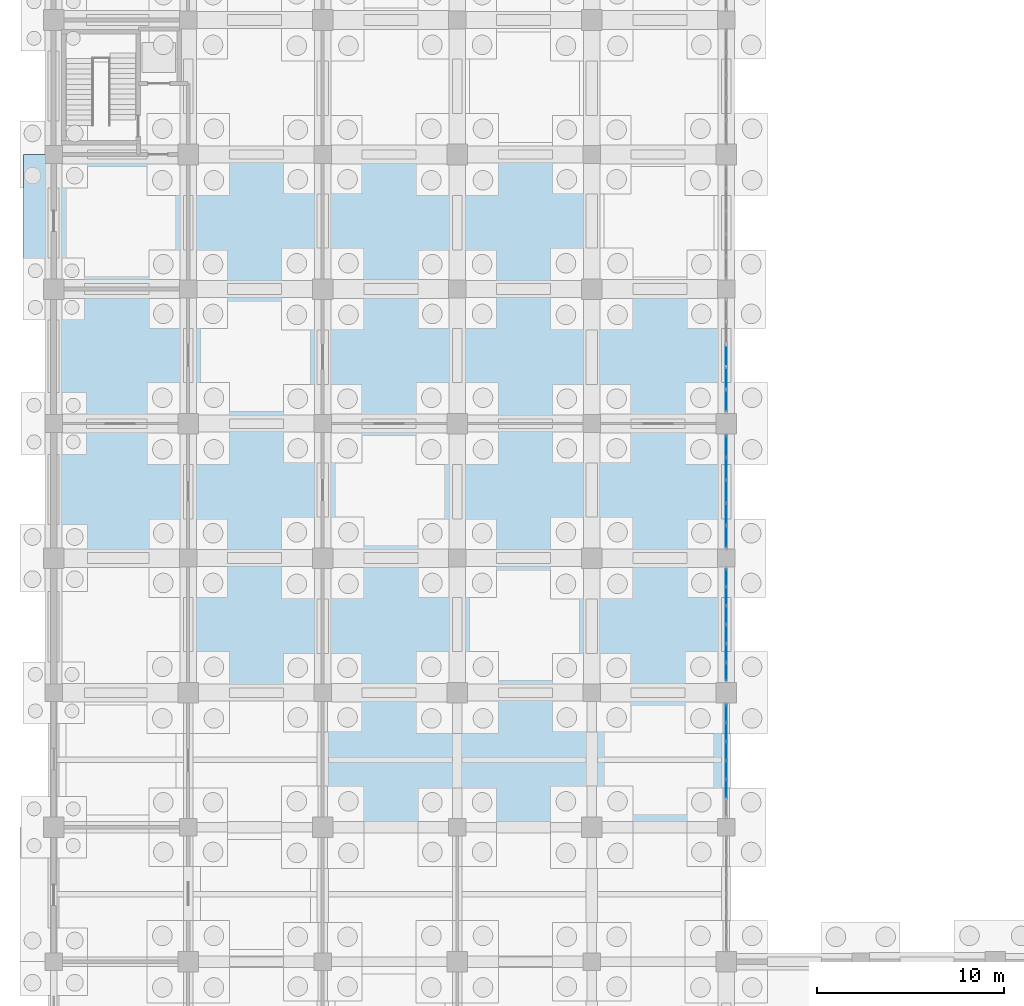
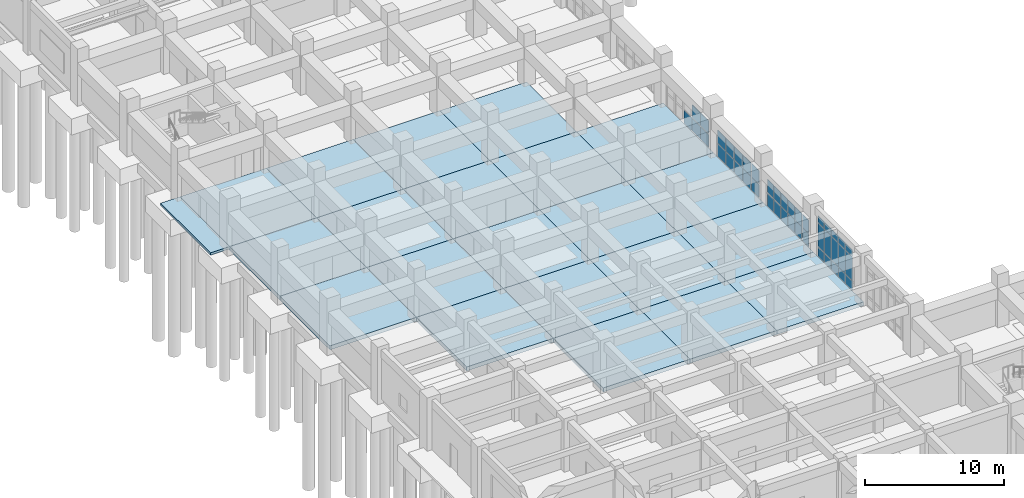
# One storey, part 44 of 79: 42 plates, 22 slabs, 4 elements without a shape of their own.
"""IFC4 building model written with IfcOpenShell, lengths in metres."""

from ifc_helpers import new_model, si_unit, direction, frame, origin, origin_2d, place, context, subcontext, project, spatial, polyline, rectangle, outline, extrude, material, layer, layer_set, type_object, element, aggregate, save


model = new_model("IFC4")

# Units and contexts
model_context = context("Model", 3, precision=1e-05, world=origin(), true_north=direction((0.0, 1.0)))
body_context = subcontext(model_context, "Body", "Model", "MODEL_VIEW")
ifc_project = project(units=[si_unit("LENGTHUNIT", "METRE"), si_unit("AREAUNIT", "SQUARE_METRE"), si_unit("VOLUMEUNIT", "CUBIC_METRE"), si_unit("PLANEANGLEUNIT", "RADIAN"), si_unit("MASSUNIT", "GRAM", prefix="KILO")], contexts=[model_context])

# Site, building, storey
site_placement = place(None, origin())
site = spatial("IfcSite", under=ifc_project, at=site_placement, CompositionType="ELEMENT")
building_placement = place(site_placement, origin())
building = spatial("IfcBuilding", under=site, at=building_placement, Name="Kavelor Marine Aquarium", CompositionType="ELEMENT")
storey_placement = place(building_placement, origin())
storey = spatial("IfcBuildingStorey", under=building, at=storey_placement, Name="L00", CompositionType="ELEMENT", Elevation=0.0)

# Curtain wall, plates
ifc_material_1 = material(Name="Thermally Broken Aluminium and Low-E Glass", Category="aluminium")
ifc_layer_1 = layer(ifc_material_1, 0.1640625)
ifc_layer_set_1 = layer_set([ifc_layer_1], Name="CW-SYS3")
curtain_wall_type_1 = type_object("IfcCurtainWallType", Name="CW-SYS3", PredefinedType="USERDEFINED", material=ifc_layer_set_1)
curtain_wall_1_placement = place(storey_placement, origin())
curtain_wall_1 = element("IfcCurtainWall", 1, at=curtain_wall_1_placement, inside=storey, type_object=curtain_wall_type_1, Name="cw:y:L00:05_04", ObjectType="Curtain Wall", PredefinedType="USERDEFINED")
ifc_material_2 = material(Name="Solar-Control Double Low-E Glazing", Category="glass")
ifc_layer_2 = layer(ifc_material_2, 0.030029296875)
ifc_layer_set_2 = layer_set([ifc_layer_2], Name="CWP-03")
plate_type_1 = type_object("IfcPlateType", Name="CWP-03", PredefinedType="CURTAIN_PANEL", material=ifc_layer_set_2)
plate_1_placement = place(storey_placement, frame((39.199951171875, 33.641357421875, 0.06494140625), z_axis=(0.0, 0.0, 1.0), x_axis=(0.0, 1.0, 0.0)))
plate_1 = element("IfcPlate", 2, at=plate_1_placement, type_object=plate_type_1, Name="CW03 panel 2.1", PredefinedType="CURTAIN_PANEL", context=body_context, shape_type="SweptSolid", body=[
    extrude(rectangle(XDim=0.9541015625, YDim=0.030029296875, at=origin_2d()), origin(), (0.0, 0.0, 1.0), 0.802490234375),
])
plate_2_placement = place(storey_placement, frame((39.199951171875, 33.641357421875, 0.9326171875), z_axis=(0.0, 0.0, 1.0), x_axis=(0.0, 1.0, 0.0)))
plate_2 = element("IfcPlate", 3, at=plate_2_placement, type_object=plate_type_1, Name="CW03 panel 2.2", PredefinedType="CURTAIN_PANEL", context=body_context, shape_type="SweptSolid", body=[
    extrude(rectangle(XDim=0.9541015625, YDim=0.030029296875, at=origin_2d()), origin(), (0.0, 0.0, 1.0), 2.054931640625),
])
plate_3_placement = place(storey_placement, frame((39.199951171875, 33.641357421875, 3.052734375), z_axis=(0.0, 0.0, 1.0), x_axis=(0.0, 1.0, 0.0)))
plate_3 = element("IfcPlate", 4, at=plate_3_placement, type_object=plate_type_1, Name="CW03 panel 2.3", PredefinedType="CURTAIN_PANEL", context=body_context, shape_type="SweptSolid", body=[
    extrude(rectangle(XDim=0.9541015625, YDim=0.030029296875, at=origin_2d()), origin(), (0.0, 0.0, 1.0), 0.552490234375),
])
plate_4_placement = place(storey_placement, frame((39.199951171875, 34.655517578125, 0.06494140625), z_axis=(0.0, 0.0, 1.0), x_axis=(0.0, 1.0, 0.0)))
plate_4 = element("IfcPlate", 5, at=plate_4_placement, type_object=plate_type_1, Name="CW03 panel 3.1", PredefinedType="CURTAIN_PANEL", context=body_context, shape_type="SweptSolid", body=[
    extrude(rectangle(XDim=0.9541015625, YDim=0.030029296875, at=origin_2d()), origin(), (0.0, 0.0, 1.0), 0.802490234375),
])
plate_5_placement = place(storey_placement, frame((39.199951171875, 34.655517578125, 0.9326171875), z_axis=(0.0, 0.0, 1.0), x_axis=(0.0, 1.0, 0.0)))
plate_5 = element("IfcPlate", 6, at=plate_5_placement, type_object=plate_type_1, Name="CW03 panel 3.2", PredefinedType="CURTAIN_PANEL", context=body_context, shape_type="SweptSolid", body=[
    extrude(rectangle(XDim=0.9541015625, YDim=0.030029296875, at=origin_2d()), origin(), (0.0, 0.0, 1.0), 2.054931640625),
])
plate_6_placement = place(storey_placement, frame((39.199951171875, 34.655517578125, 3.052734375), z_axis=(0.0, 0.0, 1.0), x_axis=(0.0, 1.0, 0.0)))
plate_6 = element("IfcPlate", 7, at=plate_6_placement, type_object=plate_type_1, Name="CW03 panel 3.3", PredefinedType="CURTAIN_PANEL", context=body_context, shape_type="SweptSolid", body=[
    extrude(rectangle(XDim=0.9541015625, YDim=0.030029296875, at=origin_2d()), origin(), (0.0, 0.0, 1.0), 0.552490234375),
])
plate_7_placement = place(storey_placement, frame((39.199951171875, 35.669677734375, 0.06494140625), z_axis=(0.0, 0.0, 1.0), x_axis=(0.0, 1.0, 0.0)))
plate_7 = element("IfcPlate", 8, at=plate_7_placement, type_object=plate_type_1, Name="CW03 panel 4.1", PredefinedType="CURTAIN_PANEL", context=body_context, shape_type="SweptSolid", body=[
    extrude(rectangle(XDim=0.9541015625, YDim=0.030029296875, at=origin_2d()), origin(), (0.0, 0.0, 1.0), 0.802490234375),
])
plate_8_placement = place(storey_placement, frame((39.199951171875, 35.669677734375, 0.9326171875), z_axis=(0.0, 0.0, 1.0), x_axis=(0.0, 1.0, 0.0)))
plate_8 = element("IfcPlate", 9, at=plate_8_placement, type_object=plate_type_1, Name="CW03 panel 4.2", PredefinedType="CURTAIN_PANEL", context=body_context, shape_type="SweptSolid", body=[
    extrude(rectangle(XDim=0.9541015625, YDim=0.030029296875, at=origin_2d()), origin(), (0.0, 0.0, 1.0), 2.054931640625),
])
plate_9_placement = place(storey_placement, frame((39.199951171875, 35.669677734375, 3.052734375), z_axis=(0.0, 0.0, 1.0), x_axis=(0.0, 1.0, 0.0)))
plate_9 = element("IfcPlate", 10, at=plate_9_placement, type_object=plate_type_1, Name="CW03 panel 4.3", PredefinedType="CURTAIN_PANEL", context=body_context, shape_type="SweptSolid", body=[
    extrude(rectangle(XDim=0.9541015625, YDim=0.030029296875, at=origin_2d()), origin(), (0.0, 0.0, 1.0), 0.552490234375),
])
plate_10_placement = place(storey_placement, frame((39.199951171875, 36.683837890625, 0.06494140625), z_axis=(0.0, 0.0, 1.0), x_axis=(0.0, 1.0, 0.0)))
plate_10 = element("IfcPlate", 11, at=plate_10_placement, type_object=plate_type_1, Name="CW03 panel 5.1", PredefinedType="CURTAIN_PANEL", context=body_context, shape_type="SweptSolid", body=[
    extrude(rectangle(XDim=0.9541015625, YDim=0.030029296875, at=origin_2d()), origin(), (0.0, 0.0, 1.0), 0.802490234375),
])
plate_11_placement = place(storey_placement, frame((39.199951171875, 36.683837890625, 0.9326171875), z_axis=(0.0, 0.0, 1.0), x_axis=(0.0, 1.0, 0.0)))
plate_11 = element("IfcPlate", 12, at=plate_11_placement, type_object=plate_type_1, Name="CW03 panel 5.2", PredefinedType="CURTAIN_PANEL", context=body_context, shape_type="SweptSolid", body=[
    extrude(rectangle(XDim=0.9541015625, YDim=0.030029296875, at=origin_2d()), origin(), (0.0, 0.0, 1.0), 2.054931640625),
])
plate_12_placement = place(storey_placement, frame((39.199951171875, 36.683837890625, 3.052734375), z_axis=(0.0, 0.0, 1.0), x_axis=(0.0, 1.0, 0.0)))
plate_12 = element("IfcPlate", 13, at=plate_12_placement, type_object=plate_type_1, Name="CW03 panel 5.3", PredefinedType="CURTAIN_PANEL", context=body_context, shape_type="SweptSolid", body=[
    extrude(rectangle(XDim=0.9541015625, YDim=0.030029296875, at=origin_2d()), origin(), (0.0, 0.0, 1.0), 0.552490234375),
])
plate_13_placement = place(storey_placement, frame((39.199951171875, 37.682861328125, 0.06494140625), z_axis=(0.0, 0.0, 1.0), x_axis=(0.0, 1.0, 0.0)))
plate_13 = element("IfcPlate", 14, at=plate_13_placement, type_object=plate_type_1, Name="CW03 panel 6.1", PredefinedType="CURTAIN_PANEL", context=body_context, shape_type="SweptSolid", body=[
    extrude(rectangle(XDim=0.924072265625, YDim=0.030029296875, at=origin_2d()), origin(), (0.0, 0.0, 1.0), 0.802490234375),
])
plate_14_placement = place(storey_placement, frame((39.199951171875, 37.682861328125, 0.9326171875), z_axis=(0.0, 0.0, 1.0), x_axis=(0.0, 1.0, 0.0)))
plate_14 = element("IfcPlate", 15, at=plate_14_placement, type_object=plate_type_1, Name="CW03 panel 6.2", PredefinedType="CURTAIN_PANEL", context=body_context, shape_type="SweptSolid", body=[
    extrude(rectangle(XDim=0.924072265625, YDim=0.030029296875, at=origin_2d()), origin(), (0.0, 0.0, 1.0), 2.054931640625),
])
plate_15_placement = place(storey_placement, frame((39.199951171875, 37.682861328125, 3.052734375), z_axis=(0.0, 0.0, 1.0), x_axis=(0.0, 1.0, 0.0)))
plate_15 = element("IfcPlate", 16, at=plate_15_placement, type_object=plate_type_1, Name="CW03 panel 6.3", PredefinedType="CURTAIN_PANEL", context=body_context, shape_type="SweptSolid", body=[
    extrude(rectangle(XDim=0.924072265625, YDim=0.030029296875, at=origin_2d()), origin(), (0.0, 0.0, 1.0), 0.552490234375),
])
aggregate(curtain_wall_1, [plate_1, plate_2, plate_3, plate_4, plate_5, plate_6, plate_7, plate_8, plate_9, plate_10, plate_11, plate_12, plate_13, plate_14, plate_15])

ifc_material_3 = material(Name="Thermally Broken Aluminium and Low-E Glass", Category="aluminium")
ifc_layer_3 = layer(ifc_material_3, 0.172119140625)
ifc_layer_set_3 = layer_set([ifc_layer_3], Name="CW-SYS4")
curtain_wall_type_2 = type_object("IfcCurtainWallType", Name="CW-SYS4", PredefinedType="USERDEFINED", material=ifc_layer_set_3)
curtain_wall_2_placement = place(storey_placement, origin())
curtain_wall_2 = element("IfcCurtainWall", 17, at=curtain_wall_2_placement, inside=storey, type_object=curtain_wall_type_2, Name="cw:y:L00:05_05", ObjectType="Curtain Wall", PredefinedType="USERDEFINED")
ifc_material_4 = material(Name="Solar-Control Double Low-E Glazing", Category="glass")
ifc_layer_4 = layer(ifc_material_4, 0.031982421875)
ifc_layer_set_4 = layer_set([ifc_layer_4], Name="CWP-04")
plate_type_2 = type_object("IfcPlateType", Name="CWP-04", PredefinedType="CURTAIN_PANEL", material=ifc_layer_set_4)
plate_16_placement = place(storey_placement, frame((39.199951171875, 39.9208984375, 0.06005859375), z_axis=(0.0, 0.0, 1.0), x_axis=(0.0, 1.0, 0.0)))
plate_16 = element("IfcPlate", 18, at=plate_16_placement, type_object=plate_type_2, Name="CW04 panel 1.1", PredefinedType="CURTAIN_PANEL", context=body_context, shape_type="SweptSolid", body=[
    extrude(rectangle(XDim=0.901611328125, YDim=0.031982421875, at=origin_2d()), origin(), (0.0, 0.0, 1.0), 1.14501953125),
])
plate_17_placement = place(storey_placement, frame((39.199951171875, 39.9208984375, 1.264892578125), z_axis=(0.0, 0.0, 1.0), x_axis=(0.0, 1.0, 0.0)))
plate_17 = element("IfcPlate", 19, at=plate_17_placement, type_object=plate_type_2, Name="CW04 panel 1.2", PredefinedType="CURTAIN_PANEL", context=body_context, shape_type="SweptSolid", body=[
    extrude(rectangle(XDim=0.901611328125, YDim=0.031982421875, at=origin_2d()), origin(), (0.0, 0.0, 1.0), 1.14501953125),
])
plate_18_placement = place(storey_placement, frame((39.199951171875, 40.916259765625, 0.06005859375), z_axis=(0.0, 0.0, 1.0), x_axis=(0.0, 1.0, 0.0)))
plate_18 = element("IfcPlate", 20, at=plate_18_placement, type_object=plate_type_2, Name="CW04 panel 2.1", PredefinedType="CURTAIN_PANEL", context=body_context, shape_type="SweptSolid", body=[
    extrude(rectangle(XDim=0.939208984375, YDim=0.031982421875, at=origin_2d()), origin(), (0.0, 0.0, 1.0), 1.14501953125),
])
plate_19_placement = place(storey_placement, frame((39.199951171875, 40.916259765625, 1.264892578125), z_axis=(0.0, 0.0, 1.0), x_axis=(0.0, 1.0, 0.0)))
plate_19 = element("IfcPlate", 21, at=plate_19_placement, type_object=plate_type_2, Name="CW04 panel 2.2", PredefinedType="CURTAIN_PANEL", context=body_context, shape_type="SweptSolid", body=[
    extrude(rectangle(XDim=0.939208984375, YDim=0.031982421875, at=origin_2d()), origin(), (0.0, 0.0, 1.0), 1.14501953125),
])
plate_20_placement = place(storey_placement, frame((39.199951171875, 41.930419921875, 0.06005859375), z_axis=(0.0, 0.0, 1.0), x_axis=(0.0, 1.0, 0.0)))
plate_20 = element("IfcPlate", 22, at=plate_20_placement, type_object=plate_type_2, Name="CW04 panel 3.1", PredefinedType="CURTAIN_PANEL", context=body_context, shape_type="SweptSolid", body=[
    extrude(rectangle(XDim=0.939208984375, YDim=0.031982421875, at=origin_2d()), origin(), (0.0, 0.0, 1.0), 1.14501953125),
])
plate_21_placement = place(storey_placement, frame((39.199951171875, 41.930419921875, 1.264892578125), z_axis=(0.0, 0.0, 1.0), x_axis=(0.0, 1.0, 0.0)))
plate_21 = element("IfcPlate", 23, at=plate_21_placement, type_object=plate_type_2, Name="CW04 panel 3.2", PredefinedType="CURTAIN_PANEL", context=body_context, shape_type="SweptSolid", body=[
    extrude(rectangle(XDim=0.939208984375, YDim=0.031982421875, at=origin_2d()), origin(), (0.0, 0.0, 1.0), 1.14501953125),
])
plate_22_placement = place(storey_placement, frame((39.199951171875, 42.944580078125, 0.06005859375), z_axis=(0.0, 0.0, 1.0), x_axis=(0.0, 1.0, 0.0)))
plate_22 = element("IfcPlate", 24, at=plate_22_placement, type_object=plate_type_2, Name="CW04 panel 4.1", PredefinedType="CURTAIN_PANEL", context=body_context, shape_type="SweptSolid", body=[
    extrude(rectangle(XDim=0.939208984375, YDim=0.031982421875, at=origin_2d()), origin(), (0.0, 0.0, 1.0), 1.14501953125),
])
plate_23_placement = place(storey_placement, frame((39.199951171875, 42.944580078125, 1.264892578125), z_axis=(0.0, 0.0, 1.0), x_axis=(0.0, 1.0, 0.0)))
plate_23 = element("IfcPlate", 25, at=plate_23_placement, type_object=plate_type_2, Name="CW04 panel 4.2", PredefinedType="CURTAIN_PANEL", context=body_context, shape_type="SweptSolid", body=[
    extrude(rectangle(XDim=0.939208984375, YDim=0.031982421875, at=origin_2d()), origin(), (0.0, 0.0, 1.0), 1.14501953125),
])
plate_24_placement = place(storey_placement, frame((39.199951171875, 43.958740234375, 0.06005859375), z_axis=(0.0, 0.0, 1.0), x_axis=(0.0, 1.0, 0.0)))
plate_24 = element("IfcPlate", 26, at=plate_24_placement, type_object=plate_type_2, Name="CW04 panel 5.1", PredefinedType="CURTAIN_PANEL", context=body_context, shape_type="SweptSolid", body=[
    extrude(rectangle(XDim=0.939208984375, YDim=0.031982421875, at=origin_2d()), origin(), (0.0, 0.0, 1.0), 1.14501953125),
])
plate_25_placement = place(storey_placement, frame((39.199951171875, 43.958740234375, 1.264892578125), z_axis=(0.0, 0.0, 1.0), x_axis=(0.0, 1.0, 0.0)))
plate_25 = element("IfcPlate", 27, at=plate_25_placement, type_object=plate_type_2, Name="CW04 panel 5.2", PredefinedType="CURTAIN_PANEL", context=body_context, shape_type="SweptSolid", body=[
    extrude(rectangle(XDim=0.939208984375, YDim=0.031982421875, at=origin_2d()), origin(), (0.0, 0.0, 1.0), 1.14501953125),
])
plate_26_placement = place(storey_placement, frame((39.199951171875, 44.9541015625, 0.06005859375), z_axis=(0.0, 0.0, 1.0), x_axis=(0.0, 1.0, 0.0)))
plate_26 = element("IfcPlate", 28, at=plate_26_placement, type_object=plate_type_2, Name="CW04 panel 6.1", PredefinedType="CURTAIN_PANEL", context=body_context, shape_type="SweptSolid", body=[
    extrude(rectangle(XDim=0.901611328125, YDim=0.031982421875, at=origin_2d()), origin(), (0.0, 0.0, 1.0), 1.14501953125),
])
plate_27_placement = place(storey_placement, frame((39.199951171875, 44.9541015625, 1.264892578125), z_axis=(0.0, 0.0, 1.0), x_axis=(0.0, 1.0, 0.0)))
plate_27 = element("IfcPlate", 29, at=plate_27_placement, type_object=plate_type_2, Name="CW04 panel 6.2", PredefinedType="CURTAIN_PANEL", context=body_context, shape_type="SweptSolid", body=[
    extrude(rectangle(XDim=0.901611328125, YDim=0.031982421875, at=origin_2d()), origin(), (0.0, 0.0, 1.0), 1.14501953125),
])
aggregate(curtain_wall_2, [plate_16, plate_17, plate_18, plate_19, plate_20, plate_21, plate_22, plate_23, plate_24, plate_25, plate_26, plate_27])

ifc_material_5 = material(Name="Thermally Broken Aluminium and Low-E Glass", Category="aluminium")
ifc_layer_5 = layer(ifc_material_5, 0.179931640625)
ifc_layer_set_5 = layer_set([ifc_layer_5], Name="CW-SYS5")
curtain_wall_type_3 = type_object("IfcCurtainWallType", Name="CW-SYS5", PredefinedType="USERDEFINED", material=ifc_layer_set_5)
curtain_wall_3_placement = place(storey_placement, origin())
curtain_wall_3 = element("IfcCurtainWall", 30, at=curtain_wall_3_placement, inside=storey, type_object=curtain_wall_type_3, Name="cw:y:L00:05_06", ObjectType="Curtain Wall", PredefinedType="USERDEFINED")
ifc_material_6 = material(Name="Solar-Control Double Low-E Glazing", Category="glass")
ifc_layer_6 = layer(ifc_material_6, 0.033935546875)
ifc_layer_set_6 = layer_set([ifc_layer_6], Name="CWP-05")
plate_type_3 = type_object("IfcPlateType", Name="CWP-05", PredefinedType="CURTAIN_PANEL", material=ifc_layer_set_6)
plate_28_placement = place(storey_placement, frame((39.199951171875, 47.144775390625, 0.06005859375), z_axis=(0.0, 0.0, 1.0), x_axis=(0.0, 1.0, 0.0)))
plate_28 = element("IfcPlate", 31, at=plate_28_placement, type_object=plate_type_3, Name="CW05 panel 1.1", PredefinedType="CURTAIN_PANEL", context=body_context, shape_type="SweptSolid", body=[
    extrude(rectangle(XDim=1.119384765625, YDim=0.033935546875, at=origin_2d()), origin(), (0.0, 0.0, 1.0), 1.14501953125),
])
plate_29_placement = place(storey_placement, frame((39.199951171875, 47.144775390625, 1.264892578125), z_axis=(0.0, 0.0, 1.0), x_axis=(0.0, 1.0, 0.0)))
plate_29 = element("IfcPlate", 32, at=plate_29_placement, type_object=plate_type_3, Name="CW05 panel 1.2", PredefinedType="CURTAIN_PANEL", context=body_context, shape_type="SweptSolid", body=[
    extrude(rectangle(XDim=1.119384765625, YDim=0.033935546875, at=origin_2d()), origin(), (0.0, 0.0, 1.0), 1.14501953125),
])
plate_30_placement = place(storey_placement, frame((39.199951171875, 48.345458984375, 0.06005859375), z_axis=(0.0, 0.0, 1.0), x_axis=(0.0, 1.0, 0.0)))
plate_30 = element("IfcPlate", 33, at=plate_30_placement, type_object=plate_type_3, Name="CW05 panel 2.1", PredefinedType="CURTAIN_PANEL", context=body_context, shape_type="SweptSolid", body=[
    extrude(rectangle(XDim=1.152099609375, YDim=0.033935546875, at=origin_2d()), origin(), (0.0, 0.0, 1.0), 1.14501953125),
])
plate_31_placement = place(storey_placement, frame((39.199951171875, 48.345458984375, 1.264892578125), z_axis=(0.0, 0.0, 1.0), x_axis=(0.0, 1.0, 0.0)))
plate_31 = element("IfcPlate", 34, at=plate_31_placement, type_object=plate_type_3, Name="CW05 panel 2.2", PredefinedType="CURTAIN_PANEL", context=body_context, shape_type="SweptSolid", body=[
    extrude(rectangle(XDim=1.152099609375, YDim=0.033935546875, at=origin_2d()), origin(), (0.0, 0.0, 1.0), 1.14501953125),
])
plate_32_placement = place(storey_placement, frame((39.199951171875, 49.5625, 0.06005859375), z_axis=(0.0, 0.0, 1.0), x_axis=(0.0, 1.0, 0.0)))
plate_32 = element("IfcPlate", 35, at=plate_32_placement, type_object=plate_type_3, Name="CW05 panel 3.1", PredefinedType="CURTAIN_PANEL", context=body_context, shape_type="SweptSolid", body=[
    extrude(rectangle(XDim=1.152099609375, YDim=0.033935546875, at=origin_2d()), origin(), (0.0, 0.0, 1.0), 1.14501953125),
])
plate_33_placement = place(storey_placement, frame((39.199951171875, 49.5625, 1.264892578125), z_axis=(0.0, 0.0, 1.0), x_axis=(0.0, 1.0, 0.0)))
plate_33 = element("IfcPlate", 36, at=plate_33_placement, type_object=plate_type_3, Name="CW05 panel 3.2", PredefinedType="CURTAIN_PANEL", context=body_context, shape_type="SweptSolid", body=[
    extrude(rectangle(XDim=1.152099609375, YDim=0.033935546875, at=origin_2d()), origin(), (0.0, 0.0, 1.0), 1.14501953125),
])
plate_34_placement = place(storey_placement, frame((39.199951171875, 50.779541015625, 0.06005859375), z_axis=(0.0, 0.0, 1.0), x_axis=(0.0, 1.0, 0.0)))
plate_34 = element("IfcPlate", 37, at=plate_34_placement, type_object=plate_type_3, Name="CW05 panel 4.1", PredefinedType="CURTAIN_PANEL", context=body_context, shape_type="SweptSolid", body=[
    extrude(rectangle(XDim=1.152099609375, YDim=0.033935546875, at=origin_2d()), origin(), (0.0, 0.0, 1.0), 1.14501953125),
])
plate_35_placement = place(storey_placement, frame((39.199951171875, 50.779541015625, 1.264892578125), z_axis=(0.0, 0.0, 1.0), x_axis=(0.0, 1.0, 0.0)))
plate_35 = element("IfcPlate", 38, at=plate_35_placement, type_object=plate_type_3, Name="CW05 panel 4.2", PredefinedType="CURTAIN_PANEL", context=body_context, shape_type="SweptSolid", body=[
    extrude(rectangle(XDim=1.152099609375, YDim=0.033935546875, at=origin_2d()), origin(), (0.0, 0.0, 1.0), 1.14501953125),
])
plate_36_placement = place(storey_placement, frame((39.199951171875, 51.980224609375, 0.06005859375), z_axis=(0.0, 0.0, 1.0), x_axis=(0.0, 1.0, 0.0)))
plate_36 = element("IfcPlate", 39, at=plate_36_placement, type_object=plate_type_3, Name="CW05 panel 5.1", PredefinedType="CURTAIN_PANEL", context=body_context, shape_type="SweptSolid", body=[
    extrude(rectangle(XDim=1.119384765625, YDim=0.033935546875, at=origin_2d()), origin(), (0.0, 0.0, 1.0), 1.14501953125),
])
plate_37_placement = place(storey_placement, frame((39.199951171875, 51.980224609375, 1.264892578125), z_axis=(0.0, 0.0, 1.0), x_axis=(0.0, 1.0, 0.0)))
plate_37 = element("IfcPlate", 40, at=plate_37_placement, type_object=plate_type_3, Name="CW05 panel 5.2", PredefinedType="CURTAIN_PANEL", context=body_context, shape_type="SweptSolid", body=[
    extrude(rectangle(XDim=1.119384765625, YDim=0.033935546875, at=origin_2d()), origin(), (0.0, 0.0, 1.0), 1.14501953125),
])
aggregate(curtain_wall_3, [plate_28, plate_29, plate_30, plate_31, plate_32, plate_33, plate_34, plate_35, plate_36, plate_37])

ifc_material_7 = material(Name="Thermally Broken Aluminium and Low-E Glass", Category="aluminium")
ifc_layer_7 = layer(ifc_material_7, 0.18798828125)
ifc_layer_set_7 = layer_set([ifc_layer_7], Name="CW-SYS6")
curtain_wall_type_4 = type_object("IfcCurtainWallType", Name="CW-SYS6", PredefinedType="USERDEFINED", material=ifc_layer_set_7)
curtain_wall_4_placement = place(storey_placement, origin())
curtain_wall_4 = element("IfcCurtainWall", 41, at=curtain_wall_4_placement, inside=storey, type_object=curtain_wall_type_4, Name="cw:y:L00:05_07", ObjectType="Curtain Wall", PredefinedType="USERDEFINED")
ifc_material_8 = material(Name="Solar-Control Double Low-E Glazing", Category="glass")
ifc_layer_8 = layer(ifc_material_8, 0.035888671875)
ifc_layer_set_8 = layer_set([ifc_layer_8], Name="CWP-06")
plate_type_4 = type_object("IfcPlateType", Name="CWP-06", PredefinedType="CURTAIN_PANEL", material=ifc_layer_set_8)
plate_38_placement = place(storey_placement, frame((39.199951171875, 54.41845703125, 0.074951171875), z_axis=(0.0, 0.0, 1.0), x_axis=(0.0, 1.0, 0.0)))
plate_38 = element("IfcPlate", 42, at=plate_38_placement, type_object=plate_type_4, Name="CW06 panel 1.1", PredefinedType="CURTAIN_PANEL", context=body_context, shape_type="SweptSolid", body=[
    extrude(rectangle(XDim=1.126953125, YDim=0.035888671875, at=origin_2d()), origin(), (0.0, 0.0, 1.0), 1.12255859375),
])
plate_39_placement = place(storey_placement, frame((39.199951171875, 54.41845703125, 1.2724609375), z_axis=(0.0, 0.0, 1.0), x_axis=(0.0, 1.0, 0.0)))
plate_39 = element("IfcPlate", 43, at=plate_39_placement, type_object=plate_type_4, Name="CW06 panel 1.2", PredefinedType="CURTAIN_PANEL", context=body_context, shape_type="SweptSolid", body=[
    extrude(rectangle(XDim=1.126953125, YDim=0.035888671875, at=origin_2d()), origin(), (0.0, 0.0, 1.0), 1.12255859375),
])
plate_40_placement = place(storey_placement, frame((39.199951171875, 55.62060546875, 0.074951171875), z_axis=(0.0, 0.0, 1.0), x_axis=(0.0, 1.0, 0.0)))
plate_40 = element("IfcPlate", 44, at=plate_40_placement, type_object=plate_type_4, Name="CW06 panel 2.1", PredefinedType="CURTAIN_PANEL", context=body_context, shape_type="SweptSolid", body=[
    extrude(rectangle(XDim=1.156982421875, YDim=0.035888671875, at=origin_2d()), origin(), (0.0, 0.0, 1.0), 1.12255859375),
])
plate_41_placement = place(storey_placement, frame((39.199951171875, 55.62060546875, 1.2724609375), z_axis=(0.0, 0.0, 1.0), x_axis=(0.0, 1.0, 0.0)))
plate_41 = element("IfcPlate", 45, at=plate_41_placement, type_object=plate_type_4, Name="CW06 panel 2.2", PredefinedType="CURTAIN_PANEL", context=body_context, shape_type="SweptSolid", body=[
    extrude(rectangle(XDim=1.156982421875, YDim=0.035888671875, at=origin_2d()), origin(), (0.0, 0.0, 1.0), 1.12255859375),
])
plate_42_placement = place(storey_placement, frame((39.199951171875, 56.83740234375, 0.074951171875), z_axis=(0.0, 0.0, 1.0), x_axis=(0.0, 1.0, 0.0)))
plate_42 = element("IfcPlate", 46, at=plate_42_placement, type_object=plate_type_4, Name="CW06 panel 3.1", PredefinedType="CURTAIN_PANEL", context=body_context, shape_type="SweptSolid", body=[
    extrude(rectangle(XDim=1.156982421875, YDim=0.035888671875, at=origin_2d()), origin(), (0.0, 0.0, 1.0), 1.12255859375),
])
aggregate(curtain_wall_4, [plate_38, plate_39, plate_40, plate_41, plate_42])

# Slabs
ifc_material_9 = material(Name="Textured Coastal Granite Paving", Category="masonry")
ifc_layer_9 = layer(ifc_material_9, 0.199951171875)
ifc_layer_set_9 = layer_set([ifc_layer_9], Name="SL-AP1")
slab_type_1 = type_object("IfcSlabType", Name="SL-AP1", PredefinedType="BASESLAB", material=ifc_layer_set_9)
slab_1_placement = place(storey_placement, frame((0.0, 0.0, -0.199951171875)))
element("IfcSlab", 47, at=slab_1_placement, inside=storey, type_object=slab_type_1, Name="apron:sd2:y:00_08", PredefinedType="BASESLAB", context=body_context, shape_type="SweptSolid", body=[
    extrude(outline(polyline([(1.60009765625, 60.39990234375), (3.199951171875, 60.39990234375), (3.199951171875, 67.60009765625), (1.60009765625, 67.60009765625), (1.60009765625, 60.39990234375)])), origin(), (0.0, 0.0, 1.0), 0.199951171875),
])
ifc_material_10 = material(Name="Concrete C40/50", Category="concrete")
ifc_layer_10 = layer(ifc_material_10, 0.35009765625)
ifc_layer_set_10 = layer_set([ifc_layer_10], Name="SL-BS2")
slab_type_2 = type_object("IfcSlabType", Name="SL-BS2", PredefinedType="BASESLAB", material=ifc_layer_set_10)
slab_2_placement = place(storey_placement, frame((0.0, 0.0, -0.35009765625)))
element("IfcSlab", 48, at=slab_2_placement, inside=storey, type_object=slab_type_2, Name="slab:L00:00_06", PredefinedType="BASESLAB", context=body_context, shape_type="SweptSolid", body=[
    extrude(outline(polyline([(3.199951171875, 46.0), (10.39990234375, 46.0), (10.39990234375, 53.199951171875), (3.199951171875, 53.199951171875), (3.199951171875, 46.0)])), origin(), (0.0, 0.0, 1.0), 0.35009765625),
])
slab_3_placement = place(storey_placement, frame((0.0, 0.0, -0.35009765625)))
element("IfcSlab", 49, at=slab_3_placement, inside=storey, type_object=slab_type_2, Name="slab:L00:00_07", PredefinedType="BASESLAB", context=body_context, shape_type="SweptSolid", body=[
    extrude(outline(polyline([(3.199951171875, 53.199951171875), (10.39990234375, 53.199951171875), (10.39990234375, 60.39990234375), (3.199951171875, 60.39990234375), (3.199951171875, 53.199951171875)])), origin(), (0.0, 0.0, 1.0), 0.35009765625),
])
slab_4_placement = place(storey_placement, frame((0.0, 0.0, -0.35009765625)))
element("IfcSlab", 50, at=slab_4_placement, inside=storey, type_object=slab_type_2, Name="slab:L00:00_08", PredefinedType="BASESLAB", context=body_context, shape_type="SweptSolid", body=[
    extrude(outline(polyline([(3.199951171875, 60.39990234375), (10.39990234375, 60.39990234375), (10.39990234375, 67.60009765625), (3.199951171875, 67.60009765625), (3.199951171875, 60.39990234375)])), origin(), (0.0, 0.0, 1.0), 0.35009765625),
])
slab_5_placement = place(storey_placement, frame((0.0, 0.0, -0.35009765625)))
element("IfcSlab", 51, at=slab_5_placement, inside=storey, type_object=slab_type_2, Name="slab:L00:01_05", PredefinedType="BASESLAB", context=body_context, shape_type="SweptSolid", body=[
    extrude(outline(polyline([(10.39990234375, 38.800048828125), (17.60009765625, 38.800048828125), (17.60009765625, 46.0), (10.39990234375, 46.0), (10.39990234375, 38.800048828125)])), origin(), (0.0, 0.0, 1.0), 0.35009765625),
])
slab_6_placement = place(storey_placement, frame((0.0, 0.0, -0.35009765625)))
element("IfcSlab", 52, at=slab_6_placement, inside=storey, type_object=slab_type_2, Name="slab:L00:01_06", PredefinedType="BASESLAB", context=body_context, shape_type="SweptSolid", body=[
    extrude(outline(polyline([(10.39990234375, 46.0), (17.60009765625, 46.0), (17.60009765625, 53.199951171875), (10.39990234375, 53.199951171875), (10.39990234375, 46.0)])), origin(), (0.0, 0.0, 1.0), 0.35009765625),
])
slab_7_placement = place(storey_placement, frame((0.0, 0.0, -0.35009765625)))
element("IfcSlab", 53, at=slab_7_placement, inside=storey, type_object=slab_type_2, Name="slab:L00:01_07", PredefinedType="BASESLAB", context=body_context, shape_type="SweptSolid", body=[
    extrude(outline(polyline([(10.39990234375, 53.199951171875), (17.60009765625, 53.199951171875), (17.60009765625, 60.39990234375), (10.39990234375, 60.39990234375), (10.39990234375, 53.199951171875)])), origin(), (0.0, 0.0, 1.0), 0.35009765625),
])
slab_8_placement = place(storey_placement, frame((0.0, 0.0, -0.35009765625)))
element("IfcSlab", 54, at=slab_8_placement, inside=storey, type_object=slab_type_2, Name="slab:L00:01_08", PredefinedType="BASESLAB", context=body_context, shape_type="SweptSolid", body=[
    extrude(outline(polyline([(10.39990234375, 60.39990234375), (17.60009765625, 60.39990234375), (17.60009765625, 67.60009765625), (10.39990234375, 67.60009765625), (10.39990234375, 60.39990234375)])), origin(), (0.0, 0.0, 1.0), 0.35009765625),
])
slab_9_placement = place(storey_placement, frame((0.0, 0.0, -0.35009765625)))
element("IfcSlab", 55, at=slab_9_placement, inside=storey, type_object=slab_type_2, Name="slab:L00:02_04", PredefinedType="BASESLAB", context=body_context, shape_type="SweptSolid", body=[
    extrude(outline(polyline([(17.60009765625, 31.60009765625), (24.800048828125, 31.60009765625), (24.800048828125, 38.800048828125), (17.60009765625, 38.800048828125), (17.60009765625, 31.60009765625)])), origin(), (0.0, 0.0, 1.0), 0.35009765625),
])
slab_10_placement = place(storey_placement, frame((0.0, 0.0, -0.35009765625)))
element("IfcSlab", 56, at=slab_10_placement, inside=storey, type_object=slab_type_2, Name="slab:L00:02_05", PredefinedType="BASESLAB", context=body_context, shape_type="SweptSolid", body=[
    extrude(outline(polyline([(17.60009765625, 38.800048828125), (24.800048828125, 38.800048828125), (24.800048828125, 46.0), (17.60009765625, 46.0), (17.60009765625, 38.800048828125)])), origin(), (0.0, 0.0, 1.0), 0.35009765625),
])
slab_11_placement = place(storey_placement, frame((0.0, 0.0, -0.35009765625)))
element("IfcSlab", 57, at=slab_11_placement, inside=storey, type_object=slab_type_2, Name="slab:L00:02_06", PredefinedType="BASESLAB", context=body_context, shape_type="SweptSolid", body=[
    extrude(outline(polyline([(17.60009765625, 46.0), (24.800048828125, 46.0), (24.800048828125, 53.199951171875), (17.60009765625, 53.199951171875), (17.60009765625, 46.0)])), origin(), (0.0, 0.0, 1.0), 0.35009765625),
])
slab_12_placement = place(storey_placement, frame((0.0, 0.0, -0.35009765625)))
element("IfcSlab", 58, at=slab_12_placement, inside=storey, type_object=slab_type_2, Name="slab:L00:02_07", PredefinedType="BASESLAB", context=body_context, shape_type="SweptSolid", body=[
    extrude(outline(polyline([(17.60009765625, 53.199951171875), (24.800048828125, 53.199951171875), (24.800048828125, 60.39990234375), (17.60009765625, 60.39990234375), (17.60009765625, 53.199951171875)])), origin(), (0.0, 0.0, 1.0), 0.35009765625),
])
slab_13_placement = place(storey_placement, frame((0.0, 0.0, -0.35009765625)))
element("IfcSlab", 59, at=slab_13_placement, inside=storey, type_object=slab_type_2, Name="slab:L00:02_08", PredefinedType="BASESLAB", context=body_context, shape_type="SweptSolid", body=[
    extrude(outline(polyline([(17.60009765625, 60.39990234375), (24.800048828125, 60.39990234375), (24.800048828125, 67.60009765625), (17.60009765625, 67.60009765625), (17.60009765625, 60.39990234375)])), origin(), (0.0, 0.0, 1.0), 0.35009765625),
])
slab_14_placement = place(storey_placement, frame((0.0, 0.0, -0.35009765625)))
element("IfcSlab", 60, at=slab_14_placement, inside=storey, type_object=slab_type_2, Name="slab:L00:03_04", PredefinedType="BASESLAB", context=body_context, shape_type="SweptSolid", body=[
    extrude(outline(polyline([(24.800048828125, 31.60009765625), (32.0, 31.60009765625), (32.0, 38.800048828125), (24.800048828125, 38.800048828125), (24.800048828125, 31.60009765625)])), origin(), (0.0, 0.0, 1.0), 0.35009765625),
])
slab_15_placement = place(storey_placement, frame((0.0, 0.0, -0.35009765625)))
element("IfcSlab", 61, at=slab_15_placement, inside=storey, type_object=slab_type_2, Name="slab:L00:03_05", PredefinedType="BASESLAB", context=body_context, shape_type="SweptSolid", body=[
    extrude(outline(polyline([(24.800048828125, 38.800048828125), (32.0, 38.800048828125), (32.0, 46.0), (24.800048828125, 46.0), (24.800048828125, 38.800048828125)])), origin(), (0.0, 0.0, 1.0), 0.35009765625),
])
slab_16_placement = place(storey_placement, frame((0.0, 0.0, -0.35009765625)))
element("IfcSlab", 62, at=slab_16_placement, inside=storey, type_object=slab_type_2, Name="slab:L00:03_06", PredefinedType="BASESLAB", context=body_context, shape_type="SweptSolid", body=[
    extrude(outline(polyline([(24.800048828125, 46.0), (32.0, 46.0), (32.0, 53.199951171875), (24.800048828125, 53.199951171875), (24.800048828125, 46.0)])), origin(), (0.0, 0.0, 1.0), 0.35009765625),
])
slab_17_placement = place(storey_placement, frame((0.0, 0.0, -0.35009765625)))
element("IfcSlab", 63, at=slab_17_placement, inside=storey, type_object=slab_type_2, Name="slab:L00:03_07", PredefinedType="BASESLAB", context=body_context, shape_type="SweptSolid", body=[
    extrude(outline(polyline([(24.800048828125, 53.199951171875), (32.0, 53.199951171875), (32.0, 60.39990234375), (24.800048828125, 60.39990234375), (24.800048828125, 53.199951171875)])), origin(), (0.0, 0.0, 1.0), 0.35009765625),
])
slab_18_placement = place(storey_placement, frame((0.0, 0.0, -0.35009765625)))
element("IfcSlab", 64, at=slab_18_placement, inside=storey, type_object=slab_type_2, Name="slab:L00:03_08", PredefinedType="BASESLAB", context=body_context, shape_type="SweptSolid", body=[
    extrude(outline(polyline([(24.800048828125, 60.39990234375), (32.0, 60.39990234375), (32.0, 67.60009765625), (24.800048828125, 67.60009765625), (24.800048828125, 60.39990234375)])), origin(), (0.0, 0.0, 1.0), 0.35009765625),
])
slab_19_placement = place(storey_placement, frame((0.0, 0.0, -0.35009765625)))
element("IfcSlab", 65, at=slab_19_placement, inside=storey, type_object=slab_type_2, Name="slab:L00:04_04", PredefinedType="BASESLAB", context=body_context, shape_type="SweptSolid", body=[
    extrude(outline(polyline([(32.0, 31.60009765625), (39.199951171875, 31.60009765625), (39.199951171875, 38.800048828125), (32.0, 38.800048828125), (32.0, 31.60009765625)])), origin(), (0.0, 0.0, 1.0), 0.35009765625),
])
slab_20_placement = place(storey_placement, frame((0.0, 0.0, -0.35009765625)))
element("IfcSlab", 66, at=slab_20_placement, inside=storey, type_object=slab_type_2, Name="slab:L00:04_05", PredefinedType="BASESLAB", context=body_context, shape_type="SweptSolid", body=[
    extrude(outline(polyline([(32.0, 38.800048828125), (39.199951171875, 38.800048828125), (39.199951171875, 46.0), (32.0, 46.0), (32.0, 38.800048828125)])), origin(), (0.0, 0.0, 1.0), 0.35009765625),
])
slab_21_placement = place(storey_placement, frame((0.0, 0.0, -0.35009765625)))
element("IfcSlab", 67, at=slab_21_placement, inside=storey, type_object=slab_type_2, Name="slab:L00:04_06", PredefinedType="BASESLAB", context=body_context, shape_type="SweptSolid", body=[
    extrude(outline(polyline([(32.0, 46.0), (39.199951171875, 46.0), (39.199951171875, 53.199951171875), (32.0, 53.199951171875), (32.0, 46.0)])), origin(), (0.0, 0.0, 1.0), 0.35009765625),
])
slab_22_placement = place(storey_placement, frame((0.0, 0.0, -0.35009765625)))
element("IfcSlab", 68, at=slab_22_placement, inside=storey, type_object=slab_type_2, Name="slab:L00:04_07", PredefinedType="BASESLAB", context=body_context, shape_type="SweptSolid", body=[
    extrude(outline(polyline([(32.0, 53.199951171875), (39.199951171875, 53.199951171875), (39.199951171875, 60.39990234375), (32.0, 60.39990234375), (32.0, 53.199951171875)])), origin(), (0.0, 0.0, 1.0), 0.35009765625),
])

save(model, "model.ifc")
